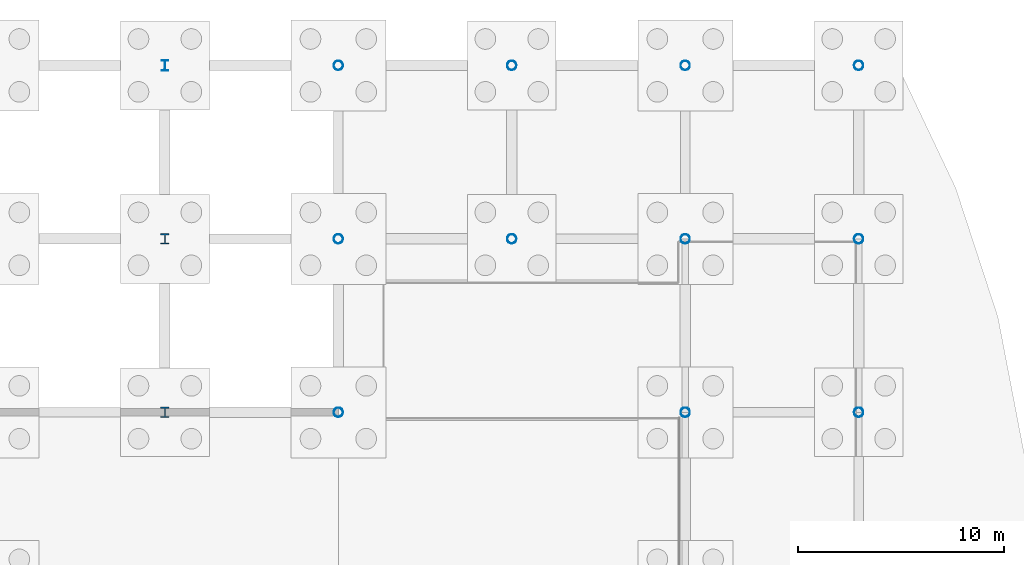
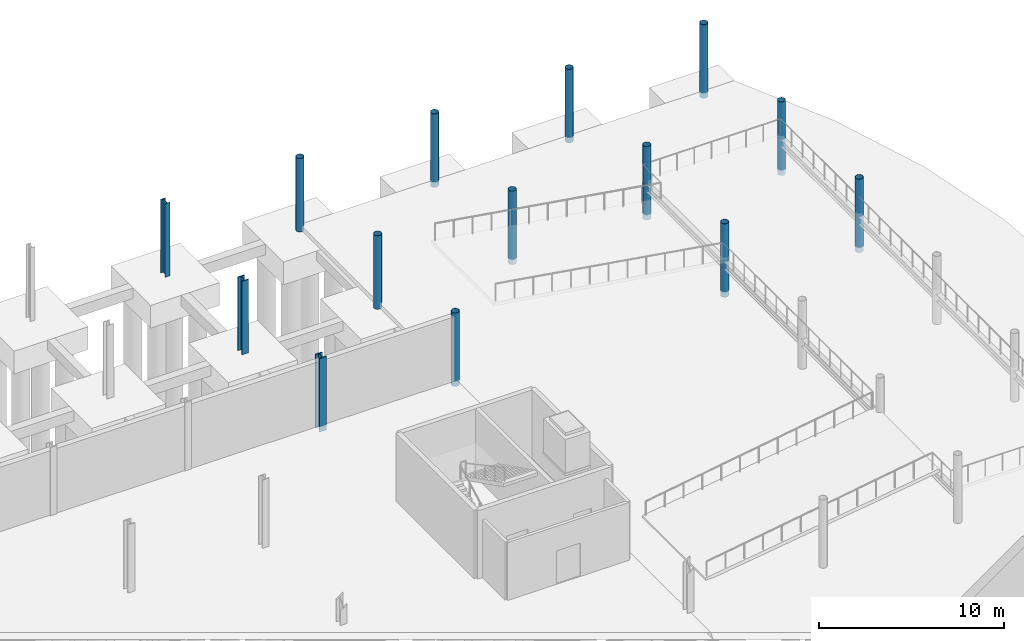
# One storey, part 29 of 51: 14 columns.
"""IFC4 building model written with IfcOpenShell, lengths in metres."""

from ifc_helpers import new_model, si_unit, direction, frame, origin, origin_2d, place, context, subcontext, project, spatial, hollow_circle, i_section, extrude, material, material_profile, profile_set, type_object, element, save


model = new_model("IFC4")

# Units and contexts
model_context = context("Model", 3, precision=1e-05, world=origin(), true_north=direction((0.0, 1.0)))
body_context = subcontext(model_context, "Body", "Model", "MODEL_VIEW")
ifc_project = project(units=[si_unit("LENGTHUNIT", "METRE"), si_unit("AREAUNIT", "SQUARE_METRE"), si_unit("VOLUMEUNIT", "CUBIC_METRE"), si_unit("PLANEANGLEUNIT", "RADIAN"), si_unit("MASSUNIT", "GRAM", prefix="KILO")], contexts=[model_context])

# Site, building, storey
site_placement = place(None, origin())
site = spatial("IfcSite", under=ifc_project, at=site_placement, CompositionType="ELEMENT")
building_placement = place(site_placement, origin())
building = spatial("IfcBuilding", under=site, at=building_placement, Name="Qalvenar Corner Mobility Hub", CompositionType="ELEMENT")
storey_placement = place(building_placement, frame((0.0, 0.0, -4.5)))
storey = spatial("IfcBuildingStorey", under=building, at=storey_placement, Name="B1", CompositionType="ELEMENT", Elevation=-4.5)

# Columns
ifc_material = material(Name="Steel S355", Category="steel")
ifc_material_profile_1 = material_profile(ifc_material, hollow_circle(Radius=0.228515625, WallThickness=0.01416015625, at=origin_2d()), Name="CHS457x14.2")
ifc_profile_set_1 = profile_set([ifc_material_profile_1], Name="Steel S355")
column_type_1 = type_object("IfcColumnType", Name="COL-CHS457", PredefinedType="COLUMN", material=ifc_profile_set_1)
for number, where, z_axis, x_axis, name in (
    (1, (142.800048828125, 100.800048828125, -0.35009765625), (0.0, 0.0, 1.0), (1.0, 0.0, 0.0), "Steel Column B1-G18-12"),
    (2, (142.800048828125, 109.199951171875, -0.35009765625), (0.0, 0.0, 1.0), (1.0, 0.0, 0.0), "Steel Column B1-G18-13"),
    (3, (142.800048828125, 117.60009765625, -0.35009765625), (0.0, 0.0, 1.0), (1.0, 0.0, 0.0), "Steel Column B1-G18-14"),
    (4, (151.199951171875, 109.199951171875, -0.35009765625), (0.0, 0.0, 1.0), (1.0, 0.0, 0.0), "Steel Column B1-G19-13"),
    (5, (151.199951171875, 117.60009765625, -0.35009765625), (0.0, 0.0, 1.0), (1.0, 0.0, 0.0), "Steel Column B1-G19-14"),
    (6, (159.60009765625, 100.800048828125, -0.35009765625), (0.0, 0.0, 1.0), (1.0, 0.0, 0.0), "Steel Column B1-G20-12"),
    (7, (159.60009765625, 109.199951171875, -0.35009765625), (0.0, 0.0, 1.0), (1.0, 0.0, 0.0), "Steel Column B1-G20-13"),
    (8, (159.60009765625, 117.60009765625, -0.35009765625), (0.0, 0.0, 1.0), (1.0, 0.0, 0.0), "Steel Column B1-G20-14"),
    (9, (168.0, 100.800048828125, -0.35009765625), (0.0, 0.0, 1.0), (1.0, 0.0, 0.0), "Steel Column B1-G21-12"),
    (10, (168.0, 109.199951171875, -0.35009765625), (0.0, 0.0, 1.0), (1.0, 0.0, 0.0), "Steel Column B1-G21-13"),
    (11, (168.0, 117.60009765625, -0.35009765625), (0.0, 0.0, 1.0), (1.0, 0.0, 0.0), "Steel Column B1-G21-14"),
):
    element("IfcColumn", number, at=place(storey_placement, frame(where, z_axis=z_axis, x_axis=x_axis)), inside=storey, type_object=column_type_1, Name=name, PredefinedType="COLUMN", context=body_context, shape_type="SweptSolid", body=[
        extrude(hollow_circle(Radius=0.228515625, WallThickness=0.01416015625, at=origin_2d()), origin(), (0.0, 0.0, 1.0), 4.85009765625),
    ])
ifc_material_profile_2 = material_profile(ifc_material, i_section(OverallWidth=0.419921875, OverallDepth=0.5048828125, WebThickness=0.03662109375, FlangeThickness=0.05908203125, FilletRadius=0.014892578125, at=origin_2d()), Name="HD400x551")
ifc_profile_set_2 = profile_set([ifc_material_profile_2], Name="Steel S355")
column_type_2 = type_object("IfcColumnType", Name="COL-HD400X463", PredefinedType="COLUMN", material=ifc_profile_set_2)
for number, where, z_axis, x_axis, name in (
    (12, (134.39990234375, 100.800048828125, -0.35009765625), (0.0, 0.0, 1.0), (1.0, 0.0, 0.0), "Steel Column B1-G17-12"),
    (13, (134.39990234375, 109.199951171875, -0.35009765625), (0.0, 0.0, 1.0), (1.0, 0.0, 0.0), "Steel Column B1-G17-13"),
):
    element("IfcColumn", number, at=place(storey_placement, frame(where, z_axis=z_axis, x_axis=x_axis)), inside=storey, type_object=column_type_2, Name=name, PredefinedType="COLUMN", context=body_context, shape_type="SweptSolid", body=[
        extrude(i_section(OverallWidth=0.419921875, OverallDepth=0.5048828125, WebThickness=0.03662109375, FlangeThickness=0.05908203125, FilletRadius=0.014892578125, at=origin_2d()), origin(), (0.0, 0.0, 1.0), 4.85009765625),
    ])
ifc_material_profile_3 = material_profile(ifc_material, i_section(OverallWidth=0.300048828125, OverallDepth=0.5, WebThickness=0.014404296875, FlangeThickness=0.028076171875, FilletRadius=0.027099609375, at=origin_2d()), Name="HEB500")
ifc_profile_set_3 = profile_set([ifc_material_profile_3], Name="Steel S355")
column_type_3 = type_object("IfcColumnType", Name="COL-HEB500", PredefinedType="COLUMN", material=ifc_profile_set_3)
column_placement = place(storey_placement, frame((134.39990234375, 117.60009765625, -0.35009765625), z_axis=(0.0, 0.0, 1.0), x_axis=(1.0, 0.0, 0.0)))
element("IfcColumn", 14, at=column_placement, inside=storey, type_object=column_type_3, Name="Steel Column B1-G17-14", PredefinedType="COLUMN", context=body_context, shape_type="SweptSolid", body=[
    extrude(i_section(OverallWidth=0.300048828125, OverallDepth=0.5, WebThickness=0.014404296875, FlangeThickness=0.028076171875, FilletRadius=0.027099609375, at=origin_2d()), origin(), (0.0, 0.0, 1.0), 4.85009765625),
])

save(model, "model.ifc")
